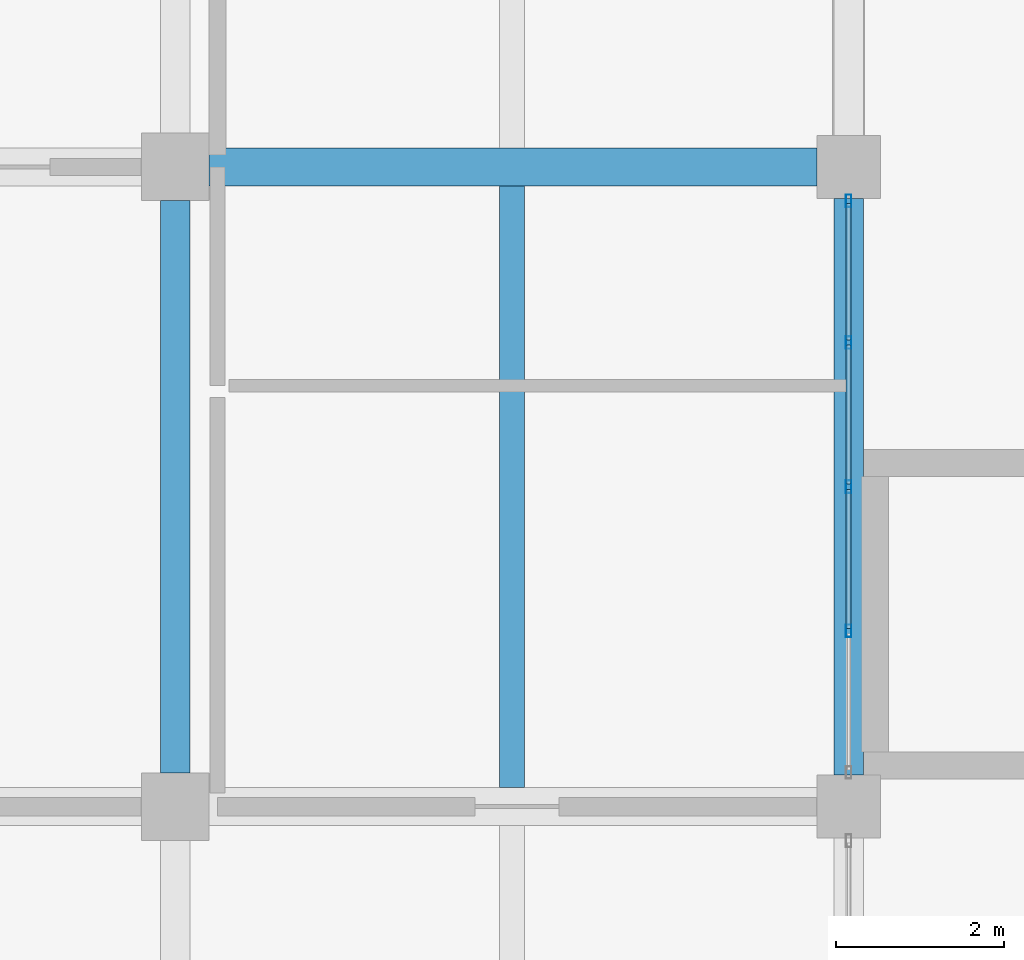
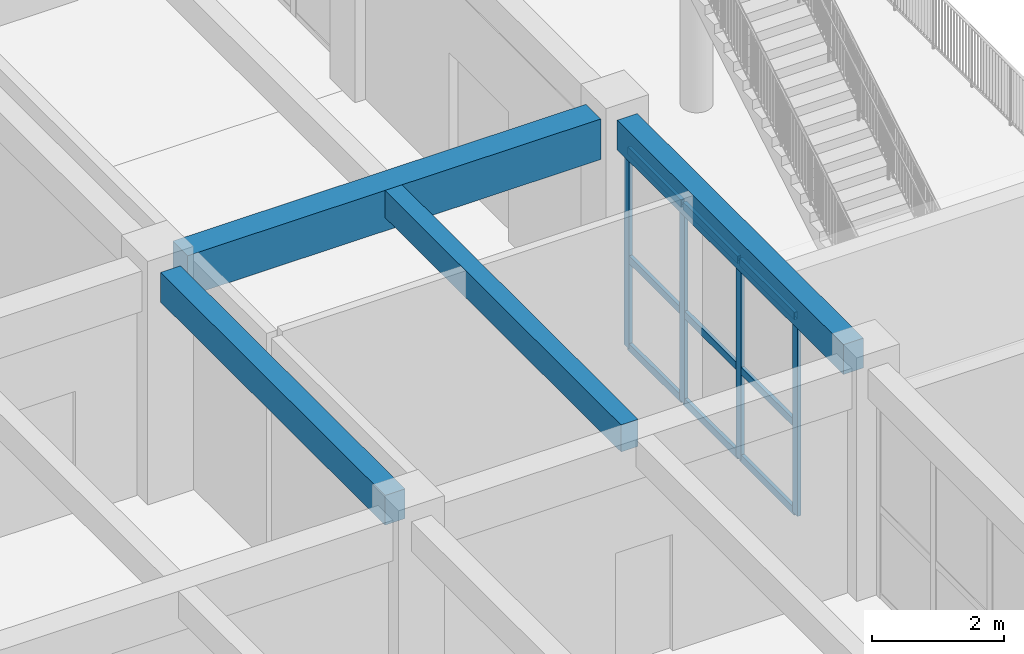
# One storey, part 34 of 79: 13 members, 4 beams, 1 element without a shape of its own.
"""IFC4 building model written with IfcOpenShell, lengths in metres."""

import ifcopenshell
import ifcopenshell.guid

model = None  # the IFC model being written
_history = None  # IfcOwnerHistory: only IFC2X3 demands one
_inside = {}  # id of a spatial element -> (the spatial element, [elements in it])
_under = {}  # id of a project, library or spatial element -> (it, [spatial elements below it])
_declared = {}  # id of a project -> (the project, [libraries it declares])
_typed = {}  # id of a type object -> (the type object, [elements of that type])
_made_of = {}  # id of a material, layer set ... -> (it, [elements and type objects made of it])


def new_model(schema):
    """Start an empty IFC model of exactly this schema.

    Asked for "IFC4X3", IfcOpenShell would pick the latest addendum, in which some entities
    have other attributes; the version numbers below select the first issue.
    IFC2X3 requires an IfcOwnerHistory on every rooted entity: one is made here for all.
    """
    global model, _history
    if schema == "IFC4X3":
        model = ifcopenshell.file(schema_version=(4, 3, 0, 0))
    else:
        model = ifcopenshell.file(schema=schema)
    _inside.clear()
    _under.clear()
    _declared.clear()
    _typed.clear()
    _made_of.clear()
    _history = None
    if model.schema == "IFC2X3":
        org = make("IfcOrganization", Name="unknown")
        user = make(
            "IfcPersonAndOrganization",
            ThePerson=make("IfcPerson", FamilyName="unknown"),
            TheOrganization=org,
        )
        app = make(
            "IfcApplication",
            ApplicationDeveloper=org,
            Version="unknown",
            ApplicationFullName="unknown",
            ApplicationIdentifier="unknown",
        )
        _history = make(
            "IfcOwnerHistory",
            OwningUser=user,
            OwningApplication=app,
            ChangeAction="ADDED",
            CreationDate=0,
        )
    return model


def make(cls, **values):
    """One entity of the class cls with the attributes given. An attribute that is None is left unset."""
    return model.create_entity(
        cls, **{name: value for name, value in values.items() if value is not None}
    )


def rooted(cls, **values):
    """An entity with a GlobalId (a new one), such as an element, a storey or a relation."""
    return make(cls, GlobalId=ifcopenshell.guid.new(), OwnerHistory=_history, **values)


def si_unit(unit_type, name, prefix=None):
    """IfcSIUnit, for example si_unit("LENGTHUNIT", "METRE", prefix="MILLI")."""
    return make("IfcSIUnit", UnitType=unit_type, Prefix=prefix, Name=name)


def assignment(units):
    """IfcUnitAssignment: the units of a project."""
    return None if units is None else make("IfcUnitAssignment", Units=units)


def point(xyz):
    """IfcCartesianPoint."""
    return None if xyz is None else make("IfcCartesianPoint", Coordinates=xyz)


def direction(xyz):
    """IfcDirection."""
    return None if xyz is None else make("IfcDirection", DirectionRatios=xyz)


def frame(location, z_axis=None, x_axis=None):
    """IfcAxis2Placement3D, a coordinate frame: its origin and axes. An axis left out is left unset."""
    return make(
        "IfcAxis2Placement3D",
        Location=point(location),
        Axis=direction(z_axis),
        RefDirection=direction(x_axis),
    )


def frame_2d(location, x_axis=None):
    """IfcAxis2Placement2D, a coordinate frame in the plane: its origin and x axis."""
    return make(
        "IfcAxis2Placement2D", Location=point(location), RefDirection=direction(x_axis)
    )


def origin():
    """The frame at (0, 0, 0) with its axes left unset."""
    return frame((0.0, 0.0, 0.0))


def origin_2d():
    """The frame at (0, 0) in the plane with its x axis left unset."""
    return frame_2d((0.0, 0.0))


def place(relative_to, where):
    """IfcLocalPlacement: puts the frame where relative to a parent placement (None: the world)."""
    return make(
        "IfcLocalPlacement", PlacementRelTo=relative_to, RelativePlacement=where
    )


def context(
    kind, dimensions, precision=None, world=None, true_north=None, identifier=None
):
    """IfcGeometricRepresentationContext, for example the 3D "Model" context."""
    return make(
        "IfcGeometricRepresentationContext",
        ContextIdentifier=identifier,
        ContextType=kind,
        CoordinateSpaceDimension=dimensions,
        Precision=precision,
        WorldCoordinateSystem=world,
        TrueNorth=true_north,
    )


def subcontext(parent, identifier, kind, view, scale=None):
    """IfcGeometricRepresentationSubContext, for example "Body" below "Model"."""
    return make(
        "IfcGeometricRepresentationSubContext",
        ContextIdentifier=identifier,
        ContextType=kind,
        ParentContext=parent,
        TargetScale=scale,
        TargetView=view,
    )


def project(units=None, contexts=None):
    """IfcProject with its units and contexts."""
    return rooted(
        "IfcProject",
        Name="project",
        RepresentationContexts=contexts,
        UnitsInContext=assignment(units),
    )


def spatial(cls, under=None, at=None, **own):
    """A site, building, storey or space (cls), placed at a placement, below another one or the project."""
    s = rooted(cls, ObjectPlacement=at, **own)
    if under is not None:
        _under.setdefault(under.id(), (under, []))[1].append(s)
    return s


def profile(cls, at=None, kind="AREA", **sizes):
    """A parametric profile (cls). Its sizes go by their IFC names, for example OverallWidth=200.0."""
    return make(cls, ProfileType=kind, Position=at, **sizes)


def rectangle(**sizes):
    """IfcRectangleProfileDef."""
    return profile("IfcRectangleProfileDef", **sizes)


def hollow_rectangle(**sizes):
    """IfcRectangleHollowProfileDef."""
    return profile("IfcRectangleHollowProfileDef", **sizes)


def extrude(swept, where, along, depth):
    """IfcExtrudedAreaSolid: the profile swept, set in the frame where, extruded along a direction by depth."""
    return make(
        "IfcExtrudedAreaSolid",
        SweptArea=swept,
        Position=where,
        ExtrudedDirection=direction(along),
        Depth=depth,
    )


def shape(context_of_items, identifier, shape_type, items):
    """IfcShapeRepresentation: the items that make up one representation, for example the "Body"."""
    return make(
        "IfcShapeRepresentation",
        ContextOfItems=context_of_items,
        RepresentationIdentifier=identifier,
        RepresentationType=shape_type,
        Items=items,
    )


def material(Name=None, Category=None):
    """IfcMaterial."""
    return make("IfcMaterial", Name=Name, Category=Category)


def material_profile(
    of_material, cross_section, Name=None, Category=None, Priority=None
):
    """IfcMaterialProfile: a cross section and its material."""
    return make(
        "IfcMaterialProfile",
        Name=Name,
        Material=of_material,
        Profile=cross_section,
        Priority=Priority,
        Category=Category,
    )


def profile_set(profiles, Name=None, composite=None):
    """IfcMaterialProfileSet."""
    return make(
        "IfcMaterialProfileSet",
        Name=Name,
        MaterialProfiles=profiles,
        CompositeProfile=composite,
    )


def made_of(thing, what):
    """Note that an element or type object is made of a material, layer set ...; save() writes the relation."""
    if what is not None:
        _made_of.setdefault(what.id(), (what, []))[1].append(thing)
    return thing


def type_object(cls, material=None, **own):
    """A type object (cls), such as IfcWallType, which elements share."""
    return made_of(rooted(cls, **own), material)


def element(
    cls,
    number,
    at=None,
    inside=None,
    cuts=None,
    type_object=None,
    material=None,
    context=None,
    identifier="Body",
    shape_type=None,
    held_by="IfcProductDefinitionShape",
    body=None,
    shapes=None,
    **own,
):
    """One element of the class cls, such as IfcWall. Its Tag is "e" and its number.

    at: its placement. inside: the storey or other place that contains it. cuts: it is an
    opening in that element (IfcRelVoidsElement). A single representation is given by context,
    identifier, shape_type and body (its items); several are given by shapes. held_by: the class
    of the entity that holds the representations. save() writes the other relations.
    """
    e = rooted(cls, Tag="e%d" % number, ObjectPlacement=at, **own)
    if body is not None:
        shapes = [shape(context, identifier, shape_type, body)]
    if shapes is not None:
        e.Representation = make(held_by, Representations=shapes)
    if inside is not None:
        _inside.setdefault(inside.id(), (inside, []))[1].append(e)
    if cuts is not None:
        rooted(
            "IfcRelVoidsElement", RelatingBuildingElement=cuts, RelatedOpeningElement=e
        )
    if type_object is not None:
        _typed.setdefault(type_object.id(), (type_object, []))[1].append(e)
    return made_of(e, material)


def aggregate(whole, parts):
    """IfcRelAggregates: a whole, such as a stair, and the parts it consists of."""
    return rooted("IfcRelAggregates", RelatingObject=whole, RelatedObjects=parts)


def save(model, path):
    """Write the relations noted so far, then the file.

    IfcRelAggregates (storeys below a building ...), IfcRelContainedInSpatialStructure (elements
    in a storey), IfcRelDefinesByType, IfcRelAssociatesMaterial and IfcRelDeclares: one each for
    every whole, place, type object, material and project.
    """
    for whole, parts in _under.values():
        aggregate(whole, parts)
    for where, things in _inside.values():
        rooted(
            "IfcRelContainedInSpatialStructure",
            RelatedElements=things,
            RelatingStructure=where,
        )
    for kind, things in _typed.values():
        rooted("IfcRelDefinesByType", RelatedObjects=things, RelatingType=kind)
    for what, things in _made_of.values():
        rooted("IfcRelAssociatesMaterial", RelatedObjects=things, RelatingMaterial=what)
    for by, libraries in _declared.values():
        rooted("IfcRelDeclares", RelatingContext=by, RelatedDefinitions=libraries)
    model.write(path)


model = new_model("IFC4")

# Units and contexts
model_context = context("Model", 3, precision=1e-05, world=origin(), true_north=direction((0.0, 1.0)))
body_context = subcontext(model_context, "Body", "Model", "MODEL_VIEW")
ifc_project = project(units=[si_unit("LENGTHUNIT", "METRE"), si_unit("AREAUNIT", "SQUARE_METRE"), si_unit("VOLUMEUNIT", "CUBIC_METRE"), si_unit("PLANEANGLEUNIT", "RADIAN"), si_unit("MASSUNIT", "GRAM", prefix="KILO")], contexts=[model_context])

# Site, building, storey
site_placement = place(None, origin())
site = spatial("IfcSite", under=ifc_project, at=site_placement, CompositionType="ELEMENT")
building_placement = place(site_placement, origin())
building = spatial("IfcBuilding", under=site, at=building_placement, Name="Zantavel Square City Hall", CompositionType="ELEMENT")
storey_placement = place(building_placement, frame((0.0, 0.0, 10.199951171875)))
storey = spatial("IfcBuildingStorey", under=building, at=storey_placement, Name="L03", CompositionType="ELEMENT", Elevation=10.199951171875)

# Curtain wall, members
ifc_material_1 = material(Name="Anodised aluminium 6063-T6", Category="aluminium")
curtain_wall_type = type_object("IfcCurtainWallType", Name="Curtain Wall TRV1 6850x3670", PredefinedType="USERDEFINED", material=ifc_material_1)
curtain_wall_placement = place(storey_placement, origin())
curtain_wall = element("IfcCurtainWall", 1, at=curtain_wall_placement, inside=storey, type_object=curtain_wall_type, Name="L03 Glazed Curtain Wall CW-L03-092", ObjectType="GLAZED CURTAIN WALL", PredefinedType="USERDEFINED")
ifc_material_profile_1 = material_profile(ifc_material_1, hollow_rectangle(XDim=0.06494140625, YDim=0.14990234375, WallThickness=0.00390625, at=origin_2d()), Name="ALU 65x150x4")
ifc_profile_set_1 = profile_set([ifc_material_profile_1], Name="Anodised aluminium 6063-T6")
member_type_1 = type_object("IfcMemberType", Name="CW Mullion ALU 65x150x4", PredefinedType="MULLION", material=ifc_profile_set_1)
member_1_placement = place(storey_placement, frame((112.0, 45.195068359375, 0.0), z_axis=(0.0, 0.0, 1.0), x_axis=(1.0, 0.0, 0.0)))
member_1 = element("IfcMember", 2, at=member_1_placement, type_object=member_type_1, Name="CW-092 mullion 1", PredefinedType="MULLION", context=body_context, shape_type="SweptSolid", body=[
    extrude(hollow_rectangle(XDim=0.06494140625, YDim=0.14990234375, WallThickness=0.00390625, at=origin_2d()), origin(), (0.0, 0.0, 1.0), 3.670166015625),
])
member_2_placement = place(storey_placement, frame((112.0, 43.512451171875, 0.0), z_axis=(0.0, 0.0, 1.0), x_axis=(1.0, 0.0, 0.0)))
member_2 = element("IfcMember", 3, at=member_2_placement, type_object=member_type_1, Name="CW-092 mullion 2", PredefinedType="MULLION", context=body_context, shape_type="SweptSolid", body=[
    extrude(hollow_rectangle(XDim=0.06494140625, YDim=0.14990234375, WallThickness=0.00390625, at=origin_2d()), origin(), (0.0, 0.0, 1.0), 3.670166015625),
])
member_3_placement = place(storey_placement, frame((112.0, 41.800048828125, 0.0), z_axis=(0.0, 0.0, 1.0), x_axis=(1.0, 0.0, 0.0)))
member_3 = element("IfcMember", 4, at=member_3_placement, type_object=member_type_1, Name="CW-092 mullion 3", PredefinedType="MULLION", context=body_context, shape_type="SweptSolid", body=[
    extrude(hollow_rectangle(XDim=0.06494140625, YDim=0.14990234375, WallThickness=0.00390625, at=origin_2d()), origin(), (0.0, 0.0, 1.0), 3.670166015625),
])
member_4_placement = place(storey_placement, frame((112.0, 40.08740234375, 0.0), z_axis=(0.0, 0.0, 1.0), x_axis=(1.0, 0.0, 0.0)))
member_4 = element("IfcMember", 5, at=member_4_placement, type_object=member_type_1, Name="CW-092 mullion 4", PredefinedType="MULLION", context=body_context, shape_type="SweptSolid", body=[
    extrude(hollow_rectangle(XDim=0.06494140625, YDim=0.14990234375, WallThickness=0.00390625, at=origin_2d()), origin(), (0.0, 0.0, 1.0), 3.670166015625),
])
ifc_material_profile_2 = material_profile(ifc_material_1, hollow_rectangle(XDim=0.06005859375, YDim=0.139892578125, WallThickness=0.00390625, at=origin_2d()), Name="ALU 60x140x4")
ifc_profile_set_2 = profile_set([ifc_material_profile_2], Name="Anodised aluminium 6063-T6")
member_type_2 = type_object("IfcMemberType", Name="CW Transom ALU 60x140x4", PredefinedType="USERDEFINED", material=ifc_profile_set_2)
member_5_placement = place(storey_placement, frame((112.0, 45.1650390625, 0.030029296875), z_axis=(0.0, -1.0, 0.0), x_axis=(1.0, 0.0, 0.0)))
member_5 = element("IfcMember", 6, at=member_5_placement, type_object=member_type_2, Name="CW-092 transom 1.1", ObjectType="TRANSOM", PredefinedType="USERDEFINED", context=body_context, shape_type="SweptSolid", body=[
    extrude(hollow_rectangle(XDim=0.06005859375, YDim=0.139892578125, WallThickness=0.00390625, at=origin_2d()), origin(), (0.0, 0.0, 1.0), 1.62255859375),
])
member_6_placement = place(storey_placement, frame((112.0, 45.1650390625, 1.651123046875), z_axis=(0.0, -1.0, 0.0), x_axis=(1.0, 0.0, 0.0)))
member_6 = element("IfcMember", 7, at=member_6_placement, type_object=member_type_2, Name="CW-092 transom 1.2", ObjectType="TRANSOM", PredefinedType="USERDEFINED", context=body_context, shape_type="SweptSolid", body=[
    extrude(hollow_rectangle(XDim=0.06005859375, YDim=0.139892578125, WallThickness=0.00390625, at=origin_2d()), origin(), (0.0, 0.0, 1.0), 1.62255859375),
])
member_7_placement = place(storey_placement, frame((112.0, 45.1650390625, 3.64013671875), z_axis=(0.0, -1.0, 0.0), x_axis=(1.0, 0.0, 0.0)))
member_7 = element("IfcMember", 8, at=member_7_placement, type_object=member_type_2, Name="CW-092 transom 1.3", ObjectType="TRANSOM", PredefinedType="USERDEFINED", context=body_context, shape_type="SweptSolid", body=[
    extrude(hollow_rectangle(XDim=0.06005859375, YDim=0.139892578125, WallThickness=0.00390625, at=origin_2d()), origin(), (0.0, 0.0, 1.0), 1.62255859375),
])
member_8_placement = place(storey_placement, frame((112.0, 43.482421875, 0.030029296875), z_axis=(0.0, -1.0, 0.0), x_axis=(1.0, 0.0, 0.0)))
member_8 = element("IfcMember", 9, at=member_8_placement, type_object=member_type_2, Name="CW-092 transom 2.1", ObjectType="TRANSOM", PredefinedType="USERDEFINED", context=body_context, shape_type="SweptSolid", body=[
    extrude(hollow_rectangle(XDim=0.06005859375, YDim=0.139892578125, WallThickness=0.00390625, at=origin_2d()), origin(), (0.0, 0.0, 1.0), 1.65234375),
])
member_9_placement = place(storey_placement, frame((112.0, 43.482421875, 1.651123046875), z_axis=(0.0, -1.0, 0.0), x_axis=(1.0, 0.0, 0.0)))
member_9 = element("IfcMember", 10, at=member_9_placement, type_object=member_type_2, Name="CW-092 transom 2.2", ObjectType="TRANSOM", PredefinedType="USERDEFINED", context=body_context, shape_type="SweptSolid", body=[
    extrude(hollow_rectangle(XDim=0.06005859375, YDim=0.139892578125, WallThickness=0.00390625, at=origin_2d()), origin(), (0.0, 0.0, 1.0), 1.65234375),
])
member_10_placement = place(storey_placement, frame((112.0, 43.482421875, 3.64013671875), z_axis=(0.0, -1.0, 0.0), x_axis=(1.0, 0.0, 0.0)))
member_10 = element("IfcMember", 11, at=member_10_placement, type_object=member_type_2, Name="CW-092 transom 2.3", ObjectType="TRANSOM", PredefinedType="USERDEFINED", context=body_context, shape_type="SweptSolid", body=[
    extrude(hollow_rectangle(XDim=0.06005859375, YDim=0.139892578125, WallThickness=0.00390625, at=origin_2d()), origin(), (0.0, 0.0, 1.0), 1.65234375),
])
member_11_placement = place(storey_placement, frame((112.0, 41.77001953125, 0.030029296875), z_axis=(0.0, -1.0, 0.0), x_axis=(1.0, 0.0, 0.0)))
member_11 = element("IfcMember", 12, at=member_11_placement, type_object=member_type_2, Name="CW-092 transom 3.1", ObjectType="TRANSOM", PredefinedType="USERDEFINED", context=body_context, shape_type="SweptSolid", body=[
    extrude(hollow_rectangle(XDim=0.06005859375, YDim=0.139892578125, WallThickness=0.00390625, at=origin_2d()), origin(), (0.0, 0.0, 1.0), 1.652587890625),
])
member_12_placement = place(storey_placement, frame((112.0, 41.77001953125, 1.651123046875), z_axis=(0.0, -1.0, 0.0), x_axis=(1.0, 0.0, 0.0)))
member_12 = element("IfcMember", 13, at=member_12_placement, type_object=member_type_2, Name="CW-092 transom 3.2", ObjectType="TRANSOM", PredefinedType="USERDEFINED", context=body_context, shape_type="SweptSolid", body=[
    extrude(hollow_rectangle(XDim=0.06005859375, YDim=0.139892578125, WallThickness=0.00390625, at=origin_2d()), origin(), (0.0, 0.0, 1.0), 1.652587890625),
])
member_13_placement = place(storey_placement, frame((112.0, 41.77001953125, 3.64013671875), z_axis=(0.0, -1.0, 0.0), x_axis=(1.0, 0.0, 0.0)))
member_13 = element("IfcMember", 14, at=member_13_placement, type_object=member_type_2, Name="CW-092 transom 3.3", ObjectType="TRANSOM", PredefinedType="USERDEFINED", context=body_context, shape_type="SweptSolid", body=[
    extrude(hollow_rectangle(XDim=0.06005859375, YDim=0.139892578125, WallThickness=0.00390625, at=origin_2d()), origin(), (0.0, 0.0, 1.0), 1.652587890625),
])
aggregate(curtain_wall, [member_1, member_2, member_3, member_4, member_5, member_6, member_7, member_8, member_9, member_10, member_11, member_12, member_13])

# Beams
ifc_material_2 = material(Name="Concrete C35/45", Category="concrete")
ifc_material_profile_3 = material_profile(ifc_material_2, rectangle(XDim=0.300048828125, YDim=0.5, at=origin_2d()), Name="RC 300x500")
ifc_profile_set_3 = profile_set([ifc_material_profile_3], Name="Concrete C35/45")
beam_type_1 = type_object("IfcBeamType", Name="Floor Joist RC 300x500 C35/45", PredefinedType="JOIST", material=ifc_profile_set_3)
beam_1_placement = place(storey_placement, frame((108.0, 38.22509765625, 3.969970703125), z_axis=(0.0, 1.0, 0.0), x_axis=(-1.0, 0.0, 0.0)))
element("IfcBeam", 15, at=beam_1_placement, inside=storey, type_object=beam_type_1, Name="L03 Floor Joist JST-L03-1080-0380", PredefinedType="JOIST", context=body_context, shape_type="SweptSolid", body=[
    extrude(rectangle(XDim=0.300048828125, YDim=0.5, at=origin_2d()), origin(), (0.0, 0.0, 1.0), 7.14990234375),
])
ifc_material_profile_4 = material_profile(ifc_material_2, rectangle(XDim=0.449951171875, YDim=0.75, at=origin_2d()), Name="RC 450x750")
ifc_profile_set_4 = profile_set([ifc_material_profile_4], Name="Concrete C35/45")
beam_type_2 = type_object("IfcBeamType", Name="Primary Girder RC 450x750 C35/45", PredefinedType="BEAM", material=ifc_profile_set_4)
beam_2_placement = place(storey_placement, frame((104.39990234375, 45.60009765625, 3.844970703125), z_axis=(1.0, 0.0, 0.0), x_axis=(0.0, 1.0, 0.0)))
element("IfcBeam", 16, at=beam_2_placement, inside=storey, type_object=beam_type_2, Name="L03 Girder BMX-L03-1040-0456", PredefinedType="BEAM", context=body_context, shape_type="SweptSolid", body=[
    extrude(rectangle(XDim=0.449951171875, YDim=0.75, at=origin_2d()), origin(), (0.0, 0.0, 1.0), 7.22509765625),
])
ifc_material_profile_5 = material_profile(ifc_material_2, rectangle(XDim=0.35009765625, YDim=0.550048828125, at=origin_2d()), Name="RC 350x550")
ifc_profile_set_5 = profile_set([ifc_material_profile_5], Name="Concrete C35/45")
beam_type_3 = type_object("IfcBeamType", Name="Secondary Beam RC 350x550 C35/45", PredefinedType="BEAM", material=ifc_profile_set_5)
beam_3_placement = place(storey_placement, frame((104.0, 38.39990234375, 3.945068359375), z_axis=(0.0, 1.0, 0.0), x_axis=(-1.0, 0.0, 0.0)))
element("IfcBeam", 17, at=beam_3_placement, inside=storey, type_object=beam_type_3, Name="L03 Beam BMY-L03-1040-0380", PredefinedType="BEAM", context=body_context, shape_type="SweptSolid", body=[
    extrude(rectangle(XDim=0.35009765625, YDim=0.550048828125, at=origin_2d()), origin(), (0.0, 0.0, 1.0), 6.800048828125),
])
beam_4_placement = place(storey_placement, frame((112.0, 38.375, 3.945068359375), z_axis=(0.0, 1.0, 0.0), x_axis=(-1.0, 0.0, 0.0)))
element("IfcBeam", 18, at=beam_4_placement, inside=storey, type_object=beam_type_3, Name="L03 Beam BMY-L03-1120-0380", PredefinedType="BEAM", context=body_context, shape_type="SweptSolid", body=[
    extrude(rectangle(XDim=0.35009765625, YDim=0.550048828125, at=origin_2d()), origin(), (0.0, 0.0, 1.0), 6.85009765625),
])

save(model, "model.ifc")
